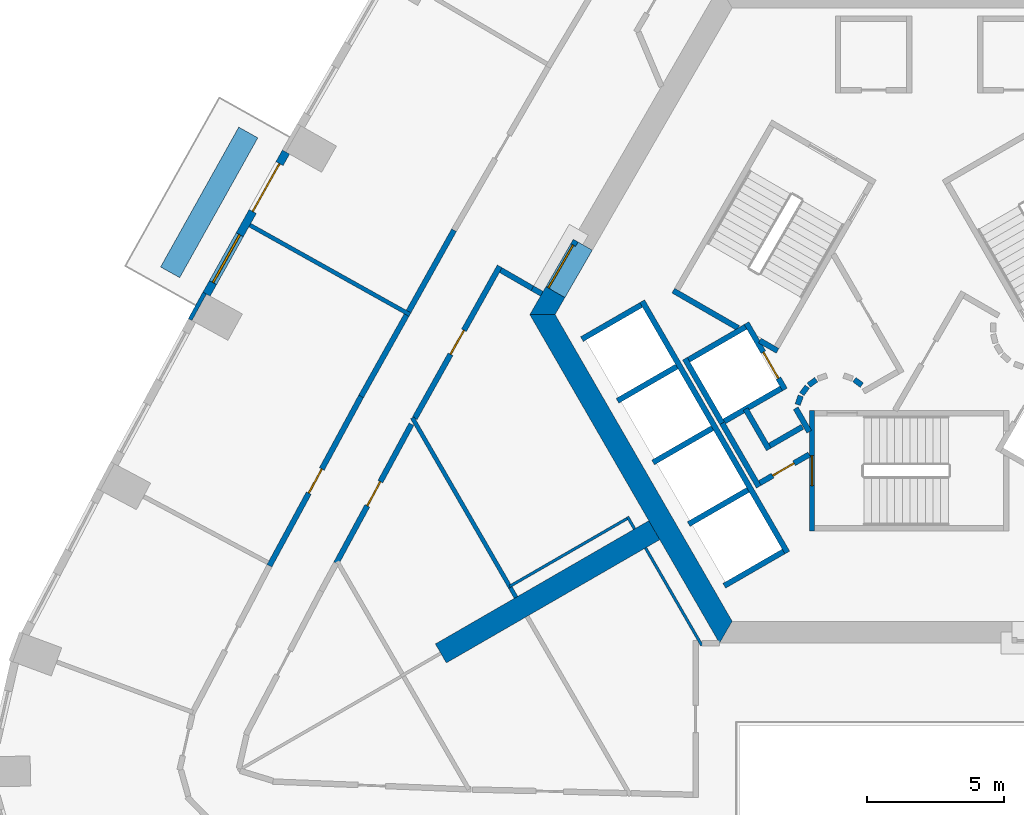
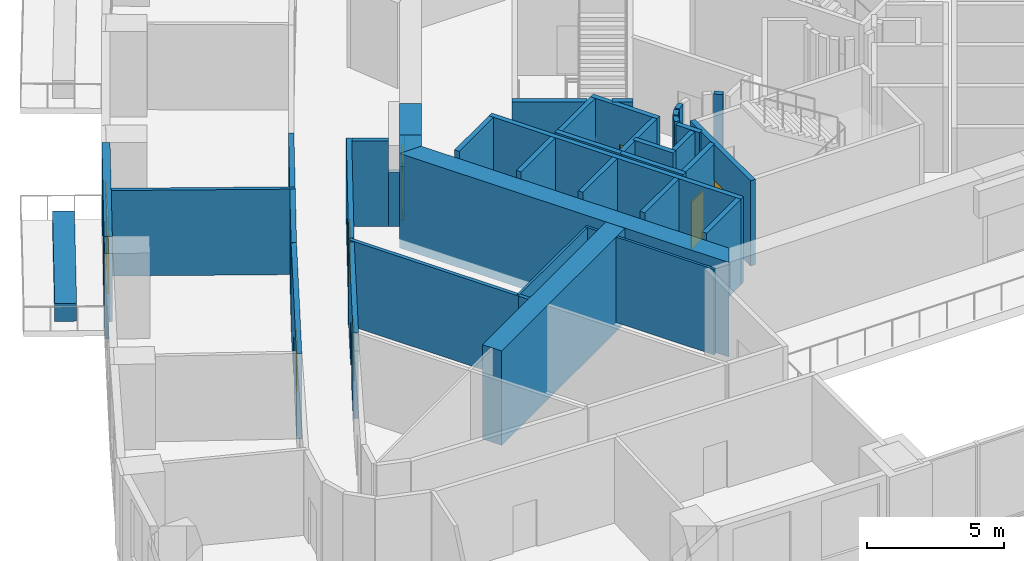
# One storey, part 5 of 14: 43 walls, 8 doors, 1 window, 9 openings.
"""IFC4 building model written with IfcOpenShell, lengths in metres."""

from ifc_helpers import new_model, si_unit, direction, frame, frame_2d, origin, place, context, subcontext, project, spatial, polyline, rectangle, outline, extrude, material, layer, layer_set, type_object, element, fill, save


model = new_model("IFC4")

# Units and contexts
model_context = context("Model", 3, precision=1e-05, world=origin(), true_north=direction((0.0, 1.0)))
body_context = subcontext(model_context, "Body", "Model", "MODEL_VIEW")
ifc_project = project(units=[si_unit("LENGTHUNIT", "METRE"), si_unit("AREAUNIT", "SQUARE_METRE"), si_unit("VOLUMEUNIT", "CUBIC_METRE"), si_unit("PLANEANGLEUNIT", "RADIAN"), si_unit("MASSUNIT", "GRAM", prefix="KILO")], contexts=[model_context])

# Site, building, storey
site_placement = place(None, origin())
site = spatial("IfcSite", under=ifc_project, at=site_placement, CompositionType="ELEMENT")
building_placement = place(site_placement, origin())
building = spatial("IfcBuilding", under=site, at=building_placement, Name="Entoto Arch Interchange Tower", CompositionType="ELEMENT")
storey_placement = place(building_placement, frame((0.0, 0.0, 146.60009765625)))
storey = spatial("IfcBuildingStorey", under=building, at=storey_placement, Name="L32", CompositionType="ELEMENT", Elevation=146.60009765625)

# Wall
ifc_material_1 = material(Name="Concrete C50/60", Category="concrete")
ifc_layer_1 = layer(ifc_material_1, 0.800048828125)
ifc_layer_set_1 = layer_set([ifc_layer_1], Name="Concrete C50/60")
wall_type_1 = type_object("IfcWallType", Name="Buttress wall 800 C50/60", PredefinedType="SHEAR", material=ifc_layer_set_1)
wall_1_placement = place(storey_placement, frame((-9.31005859375, -5.375, -0.400146484375), z_axis=(0.0, 0.0, 1.0), x_axis=(-0.866017533419, -0.500013631625, 0.0)))
element("IfcWall", 1, at=wall_1_placement, inside=storey, type_object=wall_type_1, Name="Buttress wall SW L32", PredefinedType="SHEAR", context=body_context, shape_type="SweptSolid", body=[
    extrude(rectangle(XDim=8.999755859375, YDim=0.800048828125, at=frame_2d((4.5, 0.0))), origin(), (0.0, 0.0, 1.0), 4.199951171875),
])

# Wall, opening, door
ifc_material_2 = material(Name="Reinforced concrete C40/50", Category="concrete")
ifc_layer_2 = layer(ifc_material_2, 0.199951171875)
ifc_layer_set_2 = layer_set([ifc_layer_2], Name="Reinforced concrete C40/50")
wall_type_2 = type_object("IfcWallType", Name="CORE GAP INFILL WALL", PredefinedType="PARTITIONING", material=ifc_layer_set_2)
wall_2_placement = place(storey_placement, frame((-12.179931640625, 5.201904296875, 0.0), z_axis=(0.0, 0.0, 1.0), x_axis=(-0.50002537861, -0.866010750942, 0.0)))
wall_2 = element("IfcWall", 2, at=wall_2_placement, inside=storey, type_object=wall_type_2, Name="wall:L32:gap3", PredefinedType="PARTITIONING", context=body_context, shape_type="SweptSolid", body=[
    extrude(rectangle(XDim=2.0, YDim=0.199951171875, at=frame_2d((1.0, 0.0))), origin(), (0.0, 0.0, 1.0), 2.39990234375),
])
opening_1_placement = place(wall_2_placement, frame((0.18994140625, 0.0, 0.0)))
opening_1 = element("IfcOpeningElement", 3, at=opening_1_placement, cuts=wall_2, Name="Opening L32-D93", PredefinedType="OPENING", context=body_context, shape_type="SweptSolid", body=[
    extrude(rectangle(XDim=1.800048828125, YDim=2.10009765625, at=frame_2d((0.89990234375, 1.050048828125))), frame((0.0, 0.10986328125, 0.0), z_axis=(0.0, -1.0, 0.0), x_axis=(1.0, 0.0, 0.0)), (0.0, 0.0, 1.0), 0.219970703125),
])
ifc_material_3 = material(Name="Fire-rated Steel S235 door and frame", Category="steel")
door_type_1 = type_object("IfcDoorType", Name="DOOR FD-18 1800x2100", OperationType="DOUBLE_DOOR_SINGLE_SWING", PredefinedType="DOOR", material=ifc_material_3)
door_1_placement = place(opening_1_placement, origin())
door_1 = element("IfcDoor", 4, at=door_1_placement, inside=storey, type_object=door_type_1, Name="door:L32:gap3", OperationType="DOUBLE_DOOR_SINGLE_SWING", OverallHeight=2.10009765625, OverallWidth=1.800048828125, PredefinedType="DOOR", context=body_context, shape_type="SweptSolid", body=[
    extrude(rectangle(XDim=1.800048828125, YDim=2.10009765625, at=frame_2d((0.89990234375, 1.050048828125))), frame((0.0, 0.02490234375, 0.0), z_axis=(0.0, -1.0, 0.0), x_axis=(1.0, 0.0, 0.0)), (0.0, 0.0, 1.0), 0.050048828125),
])
fill(opening_1, door_1)

# Walls
ifc_layer_3 = layer(ifc_material_1, 0.800048828125)
ifc_layer_set_3 = layer_set([ifc_layer_3], Name="Concrete C50/60")
wall_type_3 = type_object("IfcWallType", Name="Core wall 800 C50/60", PredefinedType="SHEAR", material=ifc_layer_set_3)
wall_3_placement = place(storey_placement, frame((0.0, 0.0, -0.400146484375)))
element("IfcWall", 5, at=wall_3_placement, inside=storey, type_object=wall_type_3, Name="Core wall NW L32", PredefinedType="SHEAR", context=body_context, shape_type="SweptSolid", body=[
    extrude(outline(polyline([(-12.574951171875, 3.1201171875), (-13.26708984375, 3.52001953125), (-13.85595703125, 2.5), (-12.93310546875, 2.5), (-12.574951171875, 3.1201171875)])), origin(), (0.0, 0.0, 1.0), 4.199951171875),
])
wall_4_placement = place(storey_placement, frame((0.0, 0.0, 3.599853515625)))
element("IfcWall", 6, at=wall_4_placement, inside=storey, type_object=wall_type_3, Name="Core wall lintel NW L32", PredefinedType="SHEAR", context=body_context, shape_type="SweptSolid", body=[
    extrude(outline(polyline([(-13.26708984375, 3.52001953125), (-12.574951171875, 3.1201171875), (-11.574951171875, 4.85205078125), (-12.26708984375, 5.251953125), (-13.26708984375, 3.52001953125)])), origin(), (0.0, 0.0, 1.0), 0.199951171875),
])
wall_5_placement = place(storey_placement, frame((0.0, 0.0, -0.400146484375)))
element("IfcWall", 7, at=wall_5_placement, inside=storey, type_object=wall_type_3, Name="Core wall SW L32", PredefinedType="SHEAR", context=body_context, shape_type="SweptSolid", body=[
    extrude(outline(polyline([(-13.85595703125, 2.5), (-6.927978515625, -9.5), (-6.466064453125, -8.699951171875), (-12.93310546875, 2.5), (-13.85595703125, 2.5)])), origin(), (0.0, 0.0, 1.0), 4.199951171875),
])

# Wall, opening, door
ifc_material_4 = material(Name="Concrete C40/50", Category="concrete")
ifc_layer_4 = layer(ifc_material_4, 0.199951171875)
ifc_layer_set_4 = layer_set([ifc_layer_4], Name="Concrete C40/50")
wall_type_4 = type_object("IfcWallType", Name="LIFT SHAFT WALL 200", PredefinedType="STANDARD", material=ifc_layer_set_4)
wall_6_placement = place(storey_placement, frame((-5.93994140625, 2.18798828125, 0.0), z_axis=(0.0, 0.0, 1.0), x_axis=(0.49994636267, -0.866056369097, 0.0)))
wall_6 = element("IfcWall", 8, at=wall_6_placement, inside=storey, type_object=wall_type_4, Name="Shaft wall SW1 front", PredefinedType="STANDARD", context=body_context, shape_type="SweptSolid", body=[
    extrude(rectangle(XDim=2.800048828125, YDim=0.199951171875, at=frame_2d((1.39990234375, 0.0))), origin(), (0.0, 0.0, 1.0), 3.7998046875),
])
opening_2_placement = place(wall_6_placement, frame((1.22509765625, 0.0, 0.0)))
opening_2 = element("IfcOpeningElement", 9, at=opening_2_placement, cuts=wall_6, Name="Opening LD-FF2-L32", PredefinedType="OPENING", context=body_context, shape_type="SweptSolid", body=[
    extrude(rectangle(XDim=1.10009765625, YDim=2.10009765625, at=frame_2d((0.550048828125, 1.050048828125))), frame((0.0, 0.10986328125, 0.0), z_axis=(0.0, -1.0, 0.0), x_axis=(1.0, 0.0, 0.0)), (0.0, 0.0, 1.0), 0.219970703125),
])
ifc_material_5 = material(Name="Stainless steel 1.4301 panels", Category="steel")
door_type_2 = type_object("IfcDoorType", Name="LIFT LANDING DOOR LD1 1100x2100", OperationType="SLIDING_TO_LEFT", PredefinedType="DOOR", material=ifc_material_5)
door_2_placement = place(opening_2_placement, origin())
door_2 = element("IfcDoor", 10, at=door_2_placement, inside=storey, type_object=door_type_2, Name="Lift landing door FF2 L32", OperationType="SLIDING_TO_LEFT", OverallHeight=2.10009765625, OverallWidth=1.10009765625, PredefinedType="DOOR", context=body_context, shape_type="SweptSolid", body=[
    extrude(rectangle(XDim=1.10009765625, YDim=2.10009765625, at=frame_2d((0.550048828125, 1.050048828125))), frame((0.0, 0.02490234375, 0.0), z_axis=(0.0, -1.0, 0.0), x_axis=(1.0, 0.0, 0.0)), (0.0, 0.0, 1.0), 0.050048828125),
])
fill(opening_2, door_2)

# Walls
wall_7_placement = place(storey_placement, frame((-8.19189453125, 0.887939453125, 0.0), z_axis=(0.0, 0.0, 1.0), x_axis=(0.49994636267, -0.866056369097, 0.0)))
element("IfcWall", 11, at=wall_7_placement, inside=storey, type_object=wall_type_4, Name="Shaft wall SW1 back", PredefinedType="STANDARD", context=body_context, shape_type="SweptSolid", body=[
    extrude(rectangle(XDim=2.800048828125, YDim=0.199951171875, at=frame_2d((1.39990234375, 0.0))), origin(), (0.0, 0.0, 1.0), 3.7998046875),
])
for number, where, z_axis, x_axis, name in (
    (12, (-5.97705078125, 2.052001953125, 0.0), (0.0, 0.0, 1.0), (-0.865973769406, -0.500089422704, 0.0), "Shaft wall SW1 cross 1"),
    (13, (-4.677001953125, -0.199951171875, 0.0), (0.0, 0.0, 1.0), (-0.865973769406, -0.500089422704, 0.0), "Shaft wall SW1 cross 2"),
):
    element("IfcWall", number, at=place(storey_placement, frame(where, z_axis=z_axis, x_axis=x_axis)), inside=storey, type_object=wall_type_4, Name=name, PredefinedType="STANDARD", context=body_context, shape_type="SweptSolid", body=[
        extrude(rectangle(XDim=2.3994140625, YDim=0.199951171875, at=frame_2d((1.19970703125, 0.0))), origin(), (0.0, 0.0, 1.0), 3.7998046875),
    ])
wall_8_placement = place(storey_placement, frame((-9.7509765625, 2.989990234375, 0.0), z_axis=(0.0, 0.0, 1.0), x_axis=(0.50000090737, -0.866024879913, 0.0)))
element("IfcWall", 14, at=wall_8_placement, inside=storey, type_object=wall_type_4, Name="Shaft wall SW3 front", PredefinedType="STANDARD", context=body_context, shape_type="SweptSolid", body=[
    extrude(rectangle(XDim=10.60009765625, YDim=0.199951171875, at=frame_2d((5.300048828125, 0.0))), origin(), (0.0, 0.0, 1.0), 3.7998046875),
])
wall_9_placement = place(storey_placement, frame((-9.7880859375, 2.85302734375, 0.0), z_axis=(0.0, 0.0, 1.0), x_axis=(-0.865998541277, -0.500046524342, 0.0)))
element("IfcWall", 15, at=wall_9_placement, inside=storey, type_object=wall_type_4, Name="Shaft wall SW3 cross 1", PredefinedType="STANDARD", context=body_context, shape_type="SweptSolid", body=[
    extrude(rectangle(XDim=2.499755859375, YDim=0.199951171875, at=frame_2d((1.25, 0.0))), origin(), (0.0, 0.0, 1.0), 3.7998046875),
])
for number, where, z_axis, x_axis, name in (
    (16, (-8.488037109375, 0.60205078125, 0.0), (0.0, 0.0, 1.0), (-0.866022959057, -0.500004234368, 0.0), "Shaft wall SW3 cross 2"),
    (17, (-7.18798828125, -1.64990234375, 0.0), (0.0, 0.0, 1.0), (-0.866022959057, -0.500004234368, 0.0), "Shaft wall SW3 cross 3"),
    (18, (-5.887939453125, -3.902099609375, 0.0), (0.0, 0.0, 1.0), (-0.866022959057, -0.500004234368, 0.0), "Shaft wall SW3 cross 4"),
    (19, (-4.587890625, -6.153076171875, 0.0), (0.0, 0.0, 1.0), (-0.866022959057, -0.500004234368, 0.0), "Shaft wall SW3 cross 5"),
):
    element("IfcWall", number, at=place(storey_placement, frame(where, z_axis=z_axis, x_axis=x_axis)), inside=storey, type_object=wall_type_4, Name=name, PredefinedType="STANDARD", context=body_context, shape_type="SweptSolid", body=[
        extrude(rectangle(XDim=2.5, YDim=0.199951171875, at=frame_2d((1.25, 0.0))), origin(), (0.0, 0.0, 1.0), 3.7998046875),
    ])
ifc_material_6 = material(Name="Gypsum board partition on steel studs", Category="steel")
ifc_layer_5 = layer(ifc_material_6, 0.10009765625)
ifc_layer_set_5 = layer_set([ifc_layer_5], Name="Gypsum board partition on steel studs")
wall_type_5 = type_object("IfcWallType", Name="PARTITION 100", PredefinedType="PARTITIONING", material=ifc_layer_set_5)
wall_10_placement = place(storey_placement, frame((-7.572021484375, -9.5859375, 0.0), z_axis=(0.0, 0.0, 1.0), x_axis=(-0.500037407586, 0.866003805427, 0.0)))
element("IfcWall", 20, at=wall_10_placement, inside=storey, type_object=wall_type_5, Name="wall:L32:p114", PredefinedType="PARTITIONING", context=body_context, shape_type="SweptSolid", body=[
    extrude(rectangle(XDim=4.115478515625, YDim=0.10009765625, at=frame_2d((2.0576171875, 0.0))), origin(), (0.0, 0.0, 1.0), 3.7998046875),
])
wall_11_placement = place(storey_placement, frame((-10.304931640625, -4.950927734375, 0.0), z_axis=(0.0, 0.0, 1.0), x_axis=(-0.866031185235, -0.4999899861, 0.0)))
element("IfcWall", 21, at=wall_11_placement, inside=storey, type_object=wall_type_5, Name="wall:L32:p115", PredefinedType="PARTITIONING", context=body_context, shape_type="SweptSolid", body=[
    extrude(rectangle(XDim=4.9501953125, YDim=0.10009765625, at=frame_2d((2.47509765625, 0.0))), origin(), (0.0, 0.0, 1.0), 3.7998046875),
])
wall_12_placement = place(storey_placement, frame((-10.030029296875, -5.3291015625, 0.0), z_axis=(0.0, 0.0, 1.0), x_axis=(-0.499352927503, 0.866398669086, 0.0)))
element("IfcWall", 22, at=wall_12_placement, inside=storey, type_object=wall_type_5, Name="wall:L32:p114", PredefinedType="PARTITIONING", context=body_context, shape_type="SweptSolid", body=[
    extrude(rectangle(XDim=0.514892578125, YDim=0.10009765625, at=frame_2d((0.25732421875, 0.0))), origin(), (0.0, 0.0, 1.0), 3.7998046875),
])
ifc_layer_6 = layer(ifc_material_6, 0.14990234375)
ifc_layer_set_6 = layer_set([ifc_layer_6], Name="Gypsum board partition on steel studs")
wall_type_6 = type_object("IfcWallType", Name="PARTITION 150", PredefinedType="PARTITIONING", material=ifc_layer_set_6)
wall_13_placement = place(storey_placement, frame((-14.56689453125, -7.468994140625, 0.0), z_axis=(0.0, 0.0, 1.0), x_axis=(-0.500056007527, 0.865993065409, 0.0)))
element("IfcWall", 23, at=wall_13_placement, inside=storey, type_object=wall_type_6, Name="wall:L32:p116", PredefinedType="PARTITIONING", context=body_context, shape_type="SweptSolid", body=[
    extrude(rectangle(XDim=7.159423828125, YDim=0.14990234375, at=frame_2d((3.57958984375, 0.0))), origin(), (0.0, 0.0, 1.0), 3.7998046875),
])
wall_14_placement = place(storey_placement, frame((-14.35888671875, -7.827880859375, 0.0), z_axis=(0.0, 0.0, 1.0), x_axis=(-0.501453821755, 0.865184410775, 0.0)))
element("IfcWall", 24, at=wall_14_placement, inside=storey, type_object=wall_type_6, Name="wall:L32:p117", PredefinedType="PARTITIONING", context=body_context, shape_type="SweptSolid", body=[
    extrude(rectangle(XDim=0.414794921875, YDim=0.14990234375, at=frame_2d((0.20751953125, 0.0))), origin(), (0.0, 0.0, 1.0), 3.7998046875),
])
wall_15_placement = place(storey_placement, frame((-18.23388671875, 2.4970703125, 0.0), z_axis=(0.0, 0.0, 1.0), x_axis=(-0.872820235044, 0.4880418397, 0.0)))
element("IfcWall", 25, at=wall_15_placement, inside=storey, type_object=wall_type_6, Name="wall:L32:p135", PredefinedType="PARTITIONING", context=body_context, shape_type="SweptSolid", body=[
    extrude(rectangle(XDim=6.7001953125, YDim=0.14990234375, at=frame_2d((3.35009765625, 0.0))), origin(), (0.0, 0.0, 1.0), 3.7998046875),
])
ifc_layer_7 = layer(ifc_material_6, 0.199951171875)
ifc_layer_set_7 = layer_set([ifc_layer_7], Name="Gypsum board partition on steel studs")
wall_type_7 = type_object("IfcWallType", Name="PARTITION 200", PredefinedType="PARTITIONING", material=ifc_layer_set_7)
wall_16_placement = place(storey_placement, frame((-13.4169921875, 3.260009765625, 0.0), z_axis=(0.0, 0.0, 1.0), x_axis=(-0.866398669086, 0.499352927503, 0.0)))
element("IfcWall", 26, at=wall_16_placement, inside=storey, type_object=wall_type_7, Name="wall:L32:p022", PredefinedType="PARTITIONING", context=body_context, shape_type="SweptSolid", body=[
    extrude(rectangle(XDim=0.400390625, YDim=0.199951171875, at=frame_2d((0.2001953125, 0.0))), origin(), (0.0, 0.0, 1.0), 2.39990234375),
])

# Wall, opening, door
wall_17_placement = place(storey_placement, frame((-14.955078125, 4.263916015625, 0.0), z_axis=(0.0, 0.0, 1.0), x_axis=(-0.4879770011, -0.872856486713, 0.0)))
wall_17 = element("IfcWall", 27, at=wall_17_placement, inside=storey, type_object=wall_type_7, Name="wall:L32:p023", PredefinedType="PARTITIONING", context=body_context, shape_type="SweptSolid", body=[
    extrude(rectangle(XDim=6.363037109375, YDim=0.199951171875, at=frame_2d((3.181640625, 0.0))), origin(), (0.0, 0.0, 1.0), 3.7998046875),
])
opening_3_placement = place(wall_17_placement, frame((2.680908203125, 0.0, 0.0)))
opening_3 = element("IfcOpeningElement", 28, at=opening_3_placement, cuts=wall_17, Name="Opening L32-D24", PredefinedType="OPENING", context=body_context, shape_type="SweptSolid", body=[
    extrude(rectangle(XDim=1.0, YDim=2.10009765625, at=frame_2d((0.5, 1.050048828125))), frame((0.0, 0.10986328125, 0.0), z_axis=(0.0, -1.0, 0.0), x_axis=(1.0, 0.0, 0.0)), (0.0, 0.0, 1.0), 0.219970703125),
])
ifc_material_7 = material(Name="Timber door leaf in Steel S235 frame", Category="steel")
door_type_3 = type_object("IfcDoorType", Name="DOOR DS-10 1000x2100", OperationType="SINGLE_SWING_LEFT", PredefinedType="DOOR", material=ifc_material_7)
door_3_placement = place(opening_3_placement, origin())
door_3 = element("IfcDoor", 29, at=door_3_placement, inside=storey, type_object=door_type_3, Name="door:L32:24", OperationType="SINGLE_SWING_LEFT", OverallHeight=2.10009765625, OverallWidth=1.0, PredefinedType="DOOR", context=body_context, shape_type="SweptSolid", body=[
    extrude(rectangle(XDim=1.0, YDim=2.10009765625, at=frame_2d((0.5, 1.050048828125))), frame((0.0, 0.02490234375, 0.0), z_axis=(0.0, -1.0, 0.0), x_axis=(1.0, 0.0, 0.0)), (0.0, 0.0, 1.0), 0.050048828125),
])
fill(opening_3, door_3)

wall_18_placement = place(storey_placement, frame((-18.177978515625, -1.5009765625, 0.0), z_axis=(0.0, 0.0, 1.0), x_axis=(-0.475923642768, -0.879486603795, 0.0)))
wall_18 = element("IfcWall", 30, at=wall_18_placement, inside=storey, type_object=wall_type_7, Name="wall:L32:p025", PredefinedType="PARTITIONING", context=body_context, shape_type="SweptSolid", body=[
    extrude(rectangle(XDim=5.776123046875, YDim=0.199951171875, at=frame_2d((2.88818359375, 0.0))), origin(), (0.0, 0.0, 1.0), 3.7998046875),
])
opening_4_placement = place(wall_18_placement, frame((2.387939453125, 0.0, 0.0)))
opening_4 = element("IfcOpeningElement", 31, at=opening_4_placement, cuts=wall_18, Name="Opening L32-D26", PredefinedType="OPENING", context=body_context, shape_type="SweptSolid", body=[
    extrude(rectangle(XDim=1.0, YDim=2.10009765625, at=frame_2d((0.5, 1.050048828125))), frame((0.0, 0.10986328125, 0.0), z_axis=(0.0, -1.0, 0.0), x_axis=(1.0, 0.0, 0.0)), (0.0, 0.0, 1.0), 0.219970703125),
])
door_4_placement = place(opening_4_placement, origin())
door_4 = element("IfcDoor", 32, at=door_4_placement, inside=storey, type_object=door_type_3, Name="door:L32:26", OperationType="SINGLE_SWING_LEFT", OverallHeight=2.10009765625, OverallWidth=1.0, PredefinedType="DOOR", context=body_context, shape_type="SweptSolid", body=[
    extrude(rectangle(XDim=1.0, YDim=2.10009765625, at=frame_2d((0.5, 1.050048828125))), frame((0.0, 0.02490234375, 0.0), z_axis=(0.0, -1.0, 0.0), x_axis=(1.0, 0.0, 0.0)), (0.0, 0.0, 1.0), 0.050048828125),
])
fill(opening_4, door_4)

# Wall
wall_19_placement = place(storey_placement, frame((-18.283935546875, 2.612060546875, 0.0), z_axis=(0.0, 0.0, 1.0), x_axis=(0.487871212611, 0.872915620152, 0.0)))
element("IfcWall", 33, at=wall_19_placement, inside=storey, type_object=wall_type_7, Name="wall:L32:p055", PredefinedType="PARTITIONING", context=body_context, shape_type="SweptSolid", body=[
    extrude(rectangle(XDim=3.40234375, YDim=0.199951171875, at=frame_2d((1.701171875, 0.0))), origin(), (0.0, 0.0, 1.0), 3.7998046875),
])

# Wall, opening, door
wall_20_placement = place(storey_placement, frame((-23.364990234375, -6.673095703125, 0.0), z_axis=(0.0, 0.0, 1.0), x_axis=(0.47597665142, 0.879457916732, 0.0)))
wall_20 = element("IfcWall", 34, at=wall_20_placement, inside=storey, type_object=wall_type_7, Name="wall:L32:p057", PredefinedType="PARTITIONING", context=body_context, shape_type="SweptSolid", body=[
    extrude(rectangle(XDim=7.03173828125, YDim=0.199951171875, at=frame_2d((3.515869140625, 0.0))), origin(), (0.0, 0.0, 1.0), 3.7998046875),
])
opening_5_placement = place(wall_20_placement, frame((3.01611328125, 0.0, 0.0)))
opening_5 = element("IfcOpeningElement", 35, at=opening_5_placement, cuts=wall_20, Name="Opening L32-D14", PredefinedType="OPENING", context=body_context, shape_type="SweptSolid", body=[
    extrude(rectangle(XDim=1.0, YDim=2.10009765625, at=frame_2d((0.5, 1.050048828125))), frame((0.0, 0.10986328125, 0.0), z_axis=(0.0, -1.0, 0.0), x_axis=(1.0, 0.0, 0.0)), (0.0, 0.0, 1.0), 0.219970703125),
])
door_5_placement = place(opening_5_placement, origin())
door_5 = element("IfcDoor", 36, at=door_5_placement, inside=storey, type_object=door_type_3, Name="door:L32:14", OperationType="SINGLE_SWING_LEFT", OverallHeight=2.10009765625, OverallWidth=1.0, PredefinedType="DOOR", context=body_context, shape_type="SweptSolid", body=[
    extrude(rectangle(XDim=1.0, YDim=2.10009765625, at=frame_2d((0.5, 1.050048828125))), frame((0.0, 0.02490234375, 0.0), z_axis=(0.0, -1.0, 0.0), x_axis=(1.0, 0.0, 0.0)), (0.0, 0.0, 1.0), 0.050048828125),
])
fill(opening_5, door_5)

# Walls
wall_21_placement = place(storey_placement, frame((-20.01806640625, -0.489013671875, 0.0), z_axis=(0.0, 0.0, 1.0), x_axis=(0.48792588674, 0.872885060617, 0.0)))
element("IfcWall", 37, at=wall_21_placement, inside=storey, type_object=wall_type_7, Name="wall:L32:p058", PredefinedType="PARTITIONING", context=body_context, shape_type="SweptSolid", body=[
    extrude(rectangle(XDim=3.402587890625, YDim=0.199951171875, at=frame_2d((1.701171875, 0.0))), origin(), (0.0, 0.0, 1.0), 3.7998046875),
])
wall_22_placement = place(storey_placement, frame((-3.89990234375, -1.59912109375, 0.0), z_axis=(0.0, 0.0, 1.0), x_axis=(-0.865969445389, -0.500096910261, 0.0)))
element("IfcWall", 38, at=wall_22_placement, inside=storey, type_object=wall_type_7, Name="wall:L32:p080", PredefinedType="PARTITIONING", context=body_context, shape_type="SweptSolid", body=[
    extrude(rectangle(XDim=1.373291015625, YDim=0.199951171875, at=frame_2d((0.6865234375, 0.0))), origin(), (0.0, 0.0, 1.0), 3.7998046875),
])
wall_23_placement = place(storey_placement, frame((-5.1259765625, -2.422119140625, 0.0), z_axis=(0.0, 0.0, 1.0), x_axis=(-0.500062241894, 0.865989465428, 0.0)))
element("IfcWall", 39, at=wall_23_placement, inside=storey, type_object=wall_type_7, Name="wall:L32:p081", PredefinedType="PARTITIONING", context=body_context, shape_type="SweptSolid", body=[
    extrude(rectangle(XDim=1.699951171875, YDim=0.199951171875, at=frame_2d((0.85009765625, 0.0))), origin(), (0.0, 0.0, 1.0), 3.7998046875),
])

# Wall, opening, door
wall_24_placement = place(storey_placement, frame((-3.64990234375, -2.610107421875, 0.0), z_axis=(0.0, 0.0, 1.0), x_axis=(-0.866072462134, -0.499918483688, 0.0)))
wall_24 = element("IfcWall", 40, at=wall_24_placement, inside=storey, type_object=wall_type_7, Name="wall:L32:p082", PredefinedType="PARTITIONING", context=body_context, shape_type="SweptSolid", body=[
    extrude(rectangle(XDim=2.084228515625, YDim=0.199951171875, at=frame_2d((1.0419921875, 0.0))), origin(), (0.0, 0.0, 1.0), 3.7998046875),
])
opening_6_placement = place(wall_24_placement, frame((0.64208984375, 0.0, 0.0)))
opening_6 = element("IfcOpeningElement", 41, at=opening_6_placement, cuts=wall_24, Name="Opening L32-D36", PredefinedType="OPENING", context=body_context, shape_type="SweptSolid", body=[
    extrude(rectangle(XDim=0.89990234375, YDim=2.10009765625, at=frame_2d((0.449951171875, 1.050048828125))), frame((0.0, 0.10986328125, 0.0), z_axis=(0.0, -1.0, 0.0), x_axis=(1.0, 0.0, 0.0)), (0.0, 0.0, 1.0), 0.219970703125),
])
door_type_4 = type_object("IfcDoorType", Name="DOOR DS-09 900x2100", OperationType="SINGLE_SWING_LEFT", PredefinedType="DOOR", material=ifc_material_7)
door_6_placement = place(opening_6_placement, origin())
door_6 = element("IfcDoor", 42, at=door_6_placement, inside=storey, type_object=door_type_4, Name="door:L32:36", OperationType="SINGLE_SWING_LEFT", OverallHeight=2.10009765625, OverallWidth=0.89990234375, PredefinedType="DOOR", context=body_context, shape_type="SweptSolid", body=[
    extrude(rectangle(XDim=0.89990234375, YDim=2.10009765625, at=frame_2d((0.449951171875, 1.050048828125))), frame((0.0, 0.02490234375, 0.0), z_axis=(0.0, -1.0, 0.0), x_axis=(1.0, 0.0, 0.0)), (0.0, 0.0, 1.0), 0.050048828125),
])
fill(opening_6, door_6)

# Walls
wall_25_placement = place(storey_placement, frame((-5.491943359375, -3.7880859375, 0.0), z_axis=(0.0, 0.0, 1.0), x_axis=(-0.500008949224, 0.866020236886, 0.0)))
element("IfcWall", 43, at=wall_25_placement, inside=storey, type_object=wall_type_7, Name="wall:L32:p083", PredefinedType="PARTITIONING", context=body_context, shape_type="SweptSolid", body=[
    extrude(rectangle(XDim=2.68017578125, YDim=0.199951171875, at=frame_2d((1.340087890625, 0.0))), origin(), (0.0, 0.0, 1.0), 3.7998046875),
])
wall_26_placement = place(storey_placement, frame((-4.14501953125, -0.919921875, 0.0), z_axis=(0.0, 0.0, 1.0), x_axis=(0.499743786207, -0.866173278362, 0.0)))
element("IfcWall", 44, at=wall_26_placement, inside=storey, type_object=wall_type_7, Name="wall:L32:p084", PredefinedType="PARTITIONING", context=body_context, shape_type="SweptSolid", body=[
    extrude(rectangle(XDim=0.99072265625, YDim=0.199951171875, at=frame_2d((0.495361328125, 0.0))), origin(), (0.0, 0.0, 1.0), 3.7998046875),
])
for number, where, z_axis, x_axis, name in (
    (45, (-1.73095703125, -0.076904296875, 0.0), (0.0, 0.0, 1.0), (-0.804311165252, 0.594208338422, 0.0), "wall:L32:p097"),
    (46, (-3.39697265625, 0.1240234375, 0.0), (0.0, 0.0, 1.0), (-0.804311165252, -0.594208338422, 0.0), "wall:L32:p100"),
):
    element("IfcWall", number, at=place(storey_placement, frame(where, z_axis=z_axis, x_axis=x_axis)), inside=storey, type_object=wall_type_7, Name=name, PredefinedType="PARTITIONING", context=body_context, shape_type="SweptSolid", body=[
        extrude(rectangle(XDim=0.338134765625, YDim=0.199951171875, at=frame_2d((0.1689453125, 0.0))), origin(), (0.0, 0.0, 1.0), 3.7998046875),
    ])
wall_27_placement = place(storey_placement, frame((-3.722900390625, -0.131103515625, 0.0), z_axis=(0.0, 0.0, 1.0), x_axis=(-0.594675113454, -0.803966112121, 0.0)))
element("IfcWall", 47, at=wall_27_placement, inside=storey, type_object=wall_type_7, Name="wall:L32:p101", PredefinedType="PARTITIONING", context=body_context, shape_type="SweptSolid", body=[
    extrude(rectangle(XDim=0.33837890625, YDim=0.199951171875, at=frame_2d((0.169189453125, 0.0))), origin(), (0.0, 0.0, 1.0), 3.7998046875),
])
wall_28_placement = place(storey_placement, frame((-3.9599609375, -0.469970703125, 0.0), z_axis=(0.0, 0.0, 1.0), x_axis=(-0.334824194261, -0.942280615813, 0.0)))
element("IfcWall", 48, at=wall_28_placement, inside=storey, type_object=wall_type_7, Name="wall:L32:p102", PredefinedType="PARTITIONING", context=body_context, shape_type="SweptSolid", body=[
    extrude(rectangle(XDim=0.337646484375, YDim=0.199951171875, at=frame_2d((0.1689453125, 0.0))), origin(), (0.0, 0.0, 1.0), 3.7998046875),
])
wall_29_placement = place(storey_placement, frame((-13.763916015625, 3.4599609375, 0.0), z_axis=(0.0, 0.0, 1.0), x_axis=(-0.865932130826, 0.500161518715, 0.0)))
element("IfcWall", 49, at=wall_29_placement, inside=storey, type_object=wall_type_7, Name="wall:L32:p022", PredefinedType="PARTITIONING", context=body_context, shape_type="SweptSolid", body=[
    extrude(rectangle(XDim=1.33154296875, YDim=0.199951171875, at=frame_2d((0.665771484375, 0.0))), origin(), (0.0, 0.0, 1.0), 3.7998046875),
])
ifc_material_8 = material(Name="Board-marked precast concrete C50/60", Category="concrete")
ifc_layer_8 = layer(ifc_material_8, 0.800048828125)
ifc_layer_set_8 = layer_set([ifc_layer_8], Name="Board-marked precast concrete C50/60")
wall_type_8 = type_object("IfcWallType", Name="PLANTER RC 800 Olea europaea subsp. cuspidata", PredefinedType="STANDARD", material=ifc_layer_set_8)
wall_30_placement = place(storey_placement, frame((-24.137939453125, 9.15087890625, 0.0), z_axis=(0.0, 0.0, 1.0), x_axis=(-0.487965376719, -0.87286298531, 0.0)))
element("IfcWall", 50, at=wall_30_placement, inside=storey, type_object=wall_type_8, Name="Planter NW-05 L32", PredefinedType="STANDARD", context=body_context, shape_type="SweptSolid", body=[
    extrude(rectangle(XDim=5.850830078125, YDim=0.800048828125, at=frame_2d((2.92529296875, 0.0))), origin(), (0.0, 0.0, 1.0), 0.7998046875),
])

# Wall, opening, door
ifc_layer_9 = layer(ifc_material_4, 0.199951171875)
ifc_layer_set_9 = layer_set([ifc_layer_9], Name="Concrete C40/50")
wall_type_9 = type_object("IfcWallType", Name="STAIR ENCLOSURE WALL 200", PredefinedType="STANDARD", material=ifc_layer_set_9)
wall_31_placement = place(storey_placement, frame((-3.550048828125, -1.0, 0.0), z_axis=(0.0, 0.0, 1.0), x_axis=(0.0, -1.0, 0.0)))
wall_31 = element("IfcWall", 51, at=wall_31_placement, inside=storey, type_object=wall_type_9, Name="Stair wall ST-S near", PredefinedType="STANDARD", context=body_context, shape_type="SweptSolid", body=[
    extrude(rectangle(XDim=4.39990234375, YDim=0.199951171875, at=frame_2d((2.199951171875, 0.0))), origin(), (0.0, 0.0, 1.0), 3.7998046875),
])
opening_7_placement = place(wall_31_placement, frame((1.64990234375, 0.0, 0.0)))
opening_7 = element("IfcOpeningElement", 52, at=opening_7_placement, cuts=wall_31, Name="Opening SD-ST-S-L32-E", PredefinedType="OPENING", context=body_context, shape_type="SweptSolid", body=[
    extrude(rectangle(XDim=1.10009765625, YDim=2.199951171875, at=frame_2d((0.550048828125, 1.10009765625))), frame((0.0, 0.10986328125, 0.0), z_axis=(0.0, -1.0, 0.0), x_axis=(1.0, 0.0, 0.0)), (0.0, 0.0, 1.0), 0.219970703125),
])
ifc_material_9 = material(Name="Steel S235", Category="steel")
door_type_5 = type_object("IfcDoorType", Name="STAIR DOOR SD1 1100x2200", OperationType="SINGLE_SWING_LEFT", PredefinedType="DOOR", material=ifc_material_9)
door_7_placement = place(opening_7_placement, origin())
door_7 = element("IfcDoor", 53, at=door_7_placement, inside=storey, type_object=door_type_5, Name="Stair door ST-S L32 end", OperationType="SINGLE_SWING_LEFT", OverallHeight=2.199951171875, OverallWidth=1.10009765625, PredefinedType="DOOR", context=body_context, shape_type="SweptSolid", body=[
    extrude(rectangle(XDim=1.10009765625, YDim=2.199951171875, at=frame_2d((0.550048828125, 1.10009765625))), frame((0.0, 0.02490234375, 0.0), z_axis=(0.0, -1.0, 0.0), x_axis=(1.0, 0.0, 0.0)), (0.0, 0.0, 1.0), 0.050048828125),
])
fill(opening_7, door_7)

# Walls
wall_32_placement = place(storey_placement, frame((-6.25, 2.010009765625, 0.0), z_axis=(0.0, 0.0, 1.0), x_axis=(-0.86611865017, 0.499838457731, 0.0)))
element("IfcWall", 54, at=wall_32_placement, inside=storey, type_object=wall_type_9, Name="Stair wall ST-NW far", PredefinedType="STANDARD", context=body_context, shape_type="SweptSolid", body=[
    extrude(rectangle(XDim=2.73291015625, YDim=0.199951171875, at=frame_2d((1.366455078125, 0.0))), origin(), (0.0, 0.0, 1.0), 3.7998046875),
])
wall_33_placement = place(storey_placement, frame((-4.805908203125, 1.176025390625, 0.0), z_axis=(0.0, 0.0, 1.0), x_axis=(-0.866558586415, 0.499075361355, 0.0)))
element("IfcWall", 55, at=wall_33_placement, inside=storey, type_object=wall_type_9, Name="Stair wall ST-NW far return", PredefinedType="STANDARD", context=body_context, shape_type="SweptSolid", body=[
    extrude(rectangle(XDim=0.75146484375, YDim=0.199951171875, at=frame_2d((0.375732421875, 0.0))), origin(), (0.0, 0.0, 1.0), 3.7998046875),
])

# Wall, openings, door, window
ifc_material_10 = material(Name="Welded tuff (ignimbrite) cladding, warm buff", Category="masonry")
ifc_layer_10 = layer(ifc_material_10, 0.300048828125)
ifc_layer_set_10 = layer_set([ifc_layer_10], Name="Welded tuff (ignimbrite) cladding, warm buff")
wall_type_10 = type_object("IfcWallType", Name="STONE INFILL WALL 300", PredefinedType="STANDARD", material=ifc_layer_set_10)
wall_34_placement = place(storey_placement, frame((-22.760986328125, 8.43798828125, 0.0), z_axis=(0.0, 0.0, 1.0), x_axis=(-0.488009846284, -0.872838123555, 0.0)))
wall_34 = element("IfcWall", 56, at=wall_34_placement, inside=storey, type_object=wall_type_10, Name="Facade wall NW-05 L32", PredefinedType="STANDARD", context=body_context, shape_type="SweptSolid", body=[
    extrude(rectangle(XDim=5.950927734375, YDim=0.300048828125, at=frame_2d((2.9755859375, 0.0))), origin(), (0.0, 0.0, 1.0), 3.7998046875),
])
opening_8_placement = place(wall_34_placement, frame((0.488037109375, 0.0, 0.0)))
opening_8 = element("IfcOpeningElement", 57, at=opening_8_placement, cuts=wall_34, Name="Opening DB-NW-05-L32", PredefinedType="OPENING", context=body_context, shape_type="SweptSolid", body=[
    extrude(rectangle(XDim=2.0, YDim=2.39990234375, at=frame_2d((1.0, 1.199951171875))), frame((0.0, 0.16015625, 0.0), z_axis=(0.0, -1.0, 0.0), x_axis=(1.0, 0.0, 0.0)), (0.0, 0.0, 1.0), 0.320068359375),
])
opening_9_placement = place(wall_34_placement, frame((3.462890625, 0.0, 0.89990234375)))
opening_9 = element("IfcOpeningElement", 58, at=opening_9_placement, cuts=wall_34, Name="Opening WO-C", PredefinedType="OPENING", context=body_context, shape_type="SweptSolid", body=[
    extrude(rectangle(XDim=2.0, YDim=2.60009765625, at=frame_2d((1.0, 1.300048828125))), frame((0.0, 0.16015625, 0.0), z_axis=(0.0, -1.0, 0.0), x_axis=(1.0, 0.0, 0.0)), (0.0, 0.0, 1.0), 0.320068359375),
])
ifc_material_11 = material(Name="Aluminium and clear glass, anodised", Category="aluminium")
door_type_6 = type_object("IfcDoorType", Name="BALCONY DOOR DB 2000x2400", OperationType="SLIDING_TO_LEFT", PredefinedType="DOOR", material=ifc_material_11)
door_8_placement = place(opening_8_placement, origin())
door_8 = element("IfcDoor", 59, at=door_8_placement, inside=storey, type_object=door_type_6, Name="Balcony door NW-05 L32", OperationType="SLIDING_TO_LEFT", OverallHeight=2.39990234375, OverallWidth=2.0, PredefinedType="DOOR", context=body_context, shape_type="SweptSolid", body=[
    extrude(rectangle(XDim=2.0, YDim=2.39990234375, at=frame_2d((1.0, 1.199951171875))), frame((0.0, 0.02490234375, 0.0), z_axis=(0.0, -1.0, 0.0), x_axis=(1.0, 0.0, 0.0)), (0.0, 0.0, 1.0), 0.050048828125),
])
fill(opening_8, door_8)
ifc_material_12 = material(Name="Clear glass, low-e double glazed", Category="glass")
window_type = type_object("IfcWindowType", Name="WINDOW WO-C 2000x2600", PartitioningType="DOUBLE_PANEL_VERTICAL", PredefinedType="WINDOW", material=ifc_material_12)
window_placement = place(opening_9_placement, origin())
window = element("IfcWindow", 60, at=window_placement, inside=storey, type_object=window_type, Name="Window WO-C NW-05 L32", OverallHeight=2.60009765625, OverallWidth=2.0, PartitioningType="SINGLE_PANEL", PredefinedType="WINDOW", context=body_context, shape_type="SweptSolid", body=[
    extrude(rectangle(XDim=2.0, YDim=2.60009765625, at=frame_2d((1.0, 1.300048828125))), frame((0.0, 0.030029296875, 0.0), z_axis=(0.0, -1.0, 0.0), x_axis=(1.0, 0.0, 0.0)), (0.0, 0.0, 1.0), 0.06005859375),
])
fill(opening_9, window)

# Wall
ifc_layer_11 = layer(ifc_material_10, 0.14990234375)
ifc_layer_set_11 = layer_set([ifc_layer_11], Name="Welded tuff (ignimbrite) cladding, warm buff")
wall_type_11 = type_object("IfcWallType", Name="STONE PIER CLADDING 150", PredefinedType="STANDARD", material=ifc_layer_set_11)
wall_35_placement = place(storey_placement, frame((-25.73291015625, 3.282958984375, 0.0), z_axis=(0.0, 0.0, 1.0), x_axis=(-0.481850587491, -0.876253394478, 0.0)))
element("IfcWall", 61, at=wall_35_placement, inside=storey, type_object=wall_type_11, Name="Stone pier NW06 L32", PredefinedType="STANDARD", context=body_context, shape_type="SweptSolid", body=[
    extrude(rectangle(XDim=1.10009765625, YDim=0.14990234375, at=frame_2d((0.550048828125, 0.0))), origin(), (0.0, 0.0, 1.0), 3.7998046875),
])

save(model, "model.ifc")
